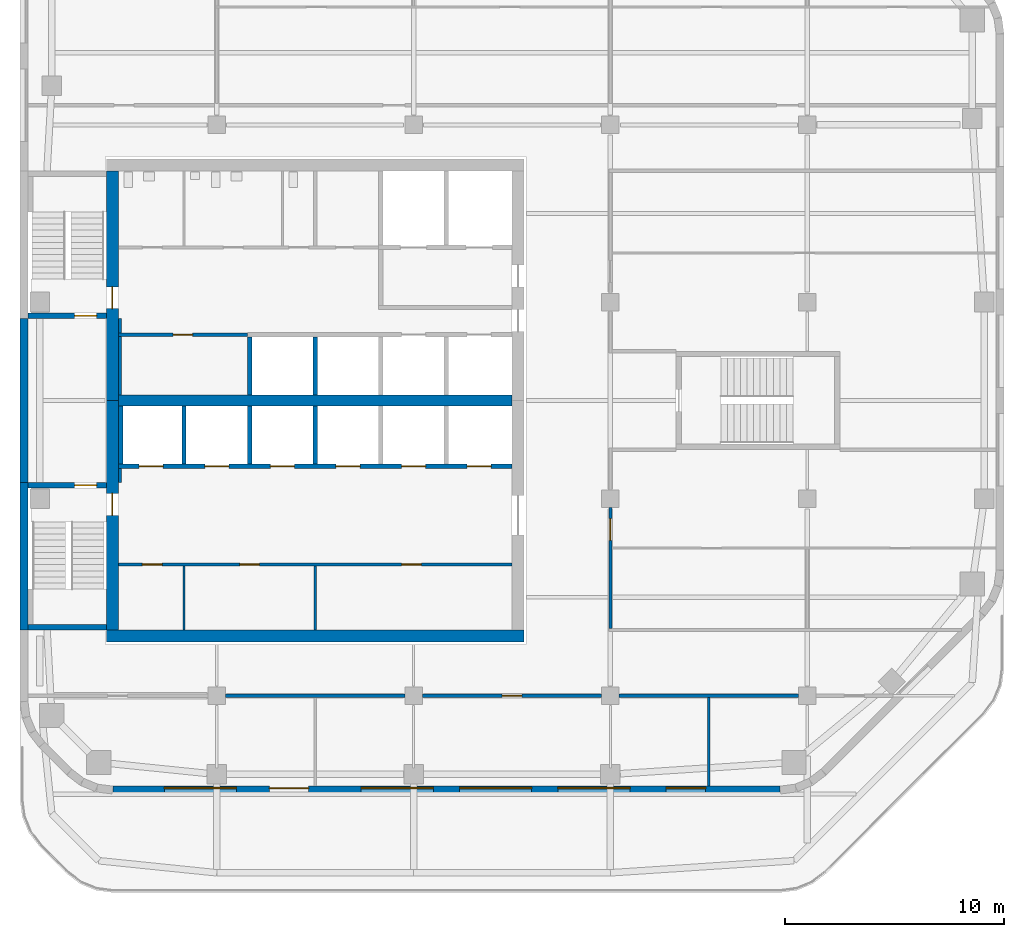
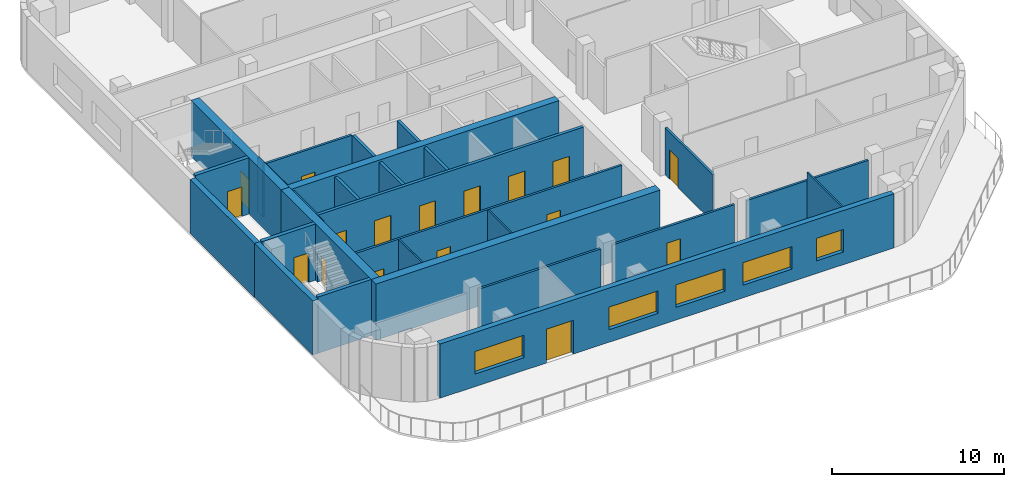
# One storey, part 3 of 8: 29 walls, 17 doors, 5 windows, 22 openings.
"""IFC4 building model written with IfcOpenShell, lengths in metres."""

from ifc_helpers import new_model, si_unit, direction, frame, frame_2d, origin, place, context, subcontext, project, spatial, rectangle, extrude, material, layer, layer_set, type_object, element, fill, save


model = new_model("IFC4")

# Units and contexts
model_context = context("Model", 3, precision=1e-05, world=origin(), true_north=direction((0.0, 1.0)))
body_context = subcontext(model_context, "Body", "Model", "MODEL_VIEW")
ifc_project = project(units=[si_unit("LENGTHUNIT", "METRE"), si_unit("AREAUNIT", "SQUARE_METRE"), si_unit("VOLUMEUNIT", "CUBIC_METRE"), si_unit("PLANEANGLEUNIT", "RADIAN"), si_unit("MASSUNIT", "GRAM", prefix="KILO")], contexts=[model_context])

# Site, building, storey
site_placement = place(None, origin())
site = spatial("IfcSite", under=ifc_project, at=site_placement, CompositionType="ELEMENT")
building_placement = place(site_placement, origin())
building = spatial("IfcBuilding", under=site, at=building_placement, Name="Cinnabar Reach Civic Tower", CompositionType="ELEMENT")
storey_placement = place(building_placement, frame((0.0, 0.0, 198.0)))
storey = spatial("IfcBuildingStorey", under=building, at=storey_placement, Name="L47", CompositionType="ELEMENT", Elevation=198.0)

# Wall, openings, windows, door
ifc_material_1 = material(Name="Facing brick with insulated backing", Category="masonry")
ifc_layer_1 = layer(ifc_material_1, 0.36)
ifc_layer_set_1 = layer_set([ifc_layer_1], Name="Brick pier and spandrel wall")
wall_type_1 = type_object("IfcWallType", Name="Brick pier and spandrel wall", PredefinedType="STANDARD", material=ifc_layer_set_1)
wall_1_placement = place(storey_placement, frame((4.2426, 13.68, 0.0), z_axis=(0.0, 0.0, 1.0), x_axis=(1.0, 0.0, 0.0)))
wall_1 = element("IfcWall", 1, at=wall_1_placement, inside=storey, type_object=wall_type_1, Name="Brick facade wall", PredefinedType="STANDARD", context=body_context, shape_type="SweptSolid", body=[
    extrude(rectangle(XDim=30.5148, YDim=0.36, at=frame_2d((15.2574, 0.0))), origin(), (0.0, 0.0, 1.0), 3.85),
])
opening_1_placement = place(wall_1_placement, frame((2.3574, 0.0, 0.9)))
opening_1 = element("IfcOpeningElement", 2, at=opening_1_placement, cuts=wall_1, Name="Opening W1961", PredefinedType="OPENING", context=body_context, shape_type="SweptSolid", body=[
    extrude(rectangle(XDim=3.3, YDim=1.6, at=frame_2d((1.65, 0.8))), frame((0.0, 0.19, 0.0), z_axis=(0.0, -1.0, 0.0), x_axis=(1.0, 0.0, 0.0)), (0.0, 0.0, 1.0), 0.38),
])
opening_2_placement = place(wall_1_placement, frame((7.1574, 0.0, 0.0)))
opening_2 = element("IfcOpeningElement", 3, at=opening_2_placement, cuts=wall_1, Name="Opening D7510", PredefinedType="OPENING", context=body_context, shape_type="SweptSolid", body=[
    extrude(rectangle(XDim=1.8, YDim=2.4, at=frame_2d((0.9, 1.2))), frame((0.0, 0.19, 0.0), z_axis=(0.0, -1.0, 0.0), x_axis=(1.0, 0.0, 0.0)), (0.0, 0.0, 1.0), 0.38),
])
opening_3_placement = place(wall_1_placement, frame((11.3574, 0.0, 0.9)))
opening_3 = element("IfcOpeningElement", 4, at=opening_3_placement, cuts=wall_1, Name="Opening W1962", PredefinedType="OPENING", context=body_context, shape_type="SweptSolid", body=[
    extrude(rectangle(XDim=3.3, YDim=1.6, at=frame_2d((1.65, 0.8))), frame((0.0, 0.19, 0.0), z_axis=(0.0, -1.0, 0.0), x_axis=(1.0, 0.0, 0.0)), (0.0, 0.0, 1.0), 0.38),
])
opening_4_placement = place(wall_1_placement, frame((15.8574, 0.0, 0.9)))
opening_4 = element("IfcOpeningElement", 5, at=opening_4_placement, cuts=wall_1, Name="Opening W1963", PredefinedType="OPENING", context=body_context, shape_type="SweptSolid", body=[
    extrude(rectangle(XDim=3.3, YDim=1.6, at=frame_2d((1.65, 0.8))), frame((0.0, 0.19, 0.0), z_axis=(0.0, -1.0, 0.0), x_axis=(1.0, 0.0, 0.0)), (0.0, 0.0, 1.0), 0.38),
])
opening_5_placement = place(wall_1_placement, frame((20.3574, 0.0, 0.9)))
opening_5 = element("IfcOpeningElement", 6, at=opening_5_placement, cuts=wall_1, Name="Opening W1964", PredefinedType="OPENING", context=body_context, shape_type="SweptSolid", body=[
    extrude(rectangle(XDim=3.3, YDim=1.6, at=frame_2d((1.65, 0.8))), frame((0.0, 0.19, 0.0), z_axis=(0.0, -1.0, 0.0), x_axis=(1.0, 0.0, 0.0)), (0.0, 0.0, 1.0), 0.38),
])
opening_6_placement = place(wall_1_placement, frame((25.3074, 0.0, 0.9)))
opening_6 = element("IfcOpeningElement", 7, at=opening_6_placement, cuts=wall_1, Name="Opening W1965", PredefinedType="OPENING", context=body_context, shape_type="SweptSolid", body=[
    extrude(rectangle(XDim=1.8, YDim=1.6, at=frame_2d((0.9, 0.8))), frame((0.0, 0.19, 0.0), z_axis=(0.0, -1.0, 0.0), x_axis=(1.0, 0.0, 0.0)), (0.0, 0.0, 1.0), 0.38),
])
ifc_material_2 = material(Name="Clear double glazing in aluminium frame", Category="aluminium")
window_type_1 = type_object("IfcWindowType", Name="Deep-set window A", PartitioningType="SINGLE_PANEL", PredefinedType="WINDOW", material=ifc_material_2)
window_1_placement = place(opening_1_placement, origin())
window_1 = element("IfcWindow", 8, at=window_1_placement, inside=storey, type_object=window_type_1, Name="Window south face", OverallHeight=1.6, OverallWidth=3.3, PartitioningType="SINGLE_PANEL", PredefinedType="WINDOW", context=body_context, shape_type="SweptSolid", body=[
    extrude(rectangle(XDim=3.3, YDim=1.6, at=frame_2d((1.65, 0.8))), frame((0.0, 0.13, 0.0), z_axis=(0.0, -1.0, 0.0), x_axis=(1.0, 0.0, 0.0)), (0.0, 0.0, 1.0), 0.06),
])
fill(opening_1, window_1)
window_2_placement = place(opening_3_placement, origin())
window_2 = element("IfcWindow", 9, at=window_2_placement, inside=storey, type_object=window_type_1, Name="Window south face", OverallHeight=1.6, OverallWidth=3.3, PartitioningType="SINGLE_PANEL", PredefinedType="WINDOW", context=body_context, shape_type="SweptSolid", body=[
    extrude(rectangle(XDim=3.3, YDim=1.6, at=frame_2d((1.65, 0.8))), frame((0.0, 0.13, 0.0), z_axis=(0.0, -1.0, 0.0), x_axis=(1.0, 0.0, 0.0)), (0.0, 0.0, 1.0), 0.06),
])
fill(opening_3, window_2)
window_3_placement = place(opening_4_placement, origin())
window_3 = element("IfcWindow", 10, at=window_3_placement, inside=storey, type_object=window_type_1, Name="Window south face", OverallHeight=1.6, OverallWidth=3.3, PartitioningType="SINGLE_PANEL", PredefinedType="WINDOW", context=body_context, shape_type="SweptSolid", body=[
    extrude(rectangle(XDim=3.3, YDim=1.6, at=frame_2d((1.65, 0.8))), frame((0.0, 0.13, 0.0), z_axis=(0.0, -1.0, 0.0), x_axis=(1.0, 0.0, 0.0)), (0.0, 0.0, 1.0), 0.06),
])
fill(opening_4, window_3)
window_4_placement = place(opening_5_placement, origin())
window_4 = element("IfcWindow", 11, at=window_4_placement, inside=storey, type_object=window_type_1, Name="Window south face", OverallHeight=1.6, OverallWidth=3.3, PartitioningType="SINGLE_PANEL", PredefinedType="WINDOW", context=body_context, shape_type="SweptSolid", body=[
    extrude(rectangle(XDim=3.3, YDim=1.6, at=frame_2d((1.65, 0.8))), frame((0.0, 0.13, 0.0), z_axis=(0.0, -1.0, 0.0), x_axis=(1.0, 0.0, 0.0)), (0.0, 0.0, 1.0), 0.06),
])
fill(opening_5, window_4)
window_type_2 = type_object("IfcWindowType", Name="Deep-set window D", PartitioningType="SINGLE_PANEL", PredefinedType="WINDOW", material=ifc_material_2)
window_5_placement = place(opening_6_placement, origin())
window_5 = element("IfcWindow", 12, at=window_5_placement, inside=storey, type_object=window_type_2, Name="Window south face", OverallHeight=1.6, OverallWidth=1.8, PartitioningType="SINGLE_PANEL", PredefinedType="WINDOW", context=body_context, shape_type="SweptSolid", body=[
    extrude(rectangle(XDim=1.8, YDim=1.6, at=frame_2d((0.9, 0.8))), frame((0.0, 0.13, 0.0), z_axis=(0.0, -1.0, 0.0), x_axis=(1.0, 0.0, 0.0)), (0.0, 0.0, 1.0), 0.06),
])
fill(opening_6, window_5)
ifc_material_3 = material(Name="Clear glazing in aluminium frame", Category="aluminium")
door_type_1 = type_object("IfcDoorType", Name="Facade terrace double door", OperationType="SINGLE_SWING_LEFT", PredefinedType="DOOR", material=ifc_material_3)
door_1_placement = place(opening_2_placement, frame((1.8, 0.0, 0.0), z_axis=(0.0, 0.0, 1.0), x_axis=(-1.0, 0.0, 0.0)))
door_1 = element("IfcDoor", 13, at=door_1_placement, inside=storey, type_object=door_type_1, Name="Terrace door", OperationType="DOUBLE_DOOR_SINGLE_SWING", OverallHeight=2.4, OverallWidth=1.8, PredefinedType="DOOR", context=body_context, shape_type="SweptSolid", body=[
    extrude(rectangle(XDim=1.8, YDim=2.4, at=frame_2d((0.9, 1.2))), frame((0.0, -0.07, 0.0), z_axis=(0.0, -1.0, 0.0), x_axis=(1.0, 0.0, 0.0)), (0.0, 0.0, 1.0), 0.05),
])
fill(opening_2, door_1)

# Walls
wall_2_placement = place(storey_placement, frame((0.18, 35.25, 0.0), z_axis=(0.0, 0.0, 1.0), x_axis=(0.0, -1.0, 0.0)))
element("IfcWall", 14, at=wall_2_placement, inside=storey, type_object=wall_type_1, Name="Brick facade wall", PredefinedType="STANDARD", context=body_context, shape_type="SweptSolid", body=[
    extrude(rectangle(XDim=7.5, YDim=0.36, at=frame_2d((3.75, 0.0))), origin(), (0.0, 0.0, 1.0), 3.85),
])
wall_3_placement = place(storey_placement, frame((0.18, 27.75, 0.0), z_axis=(0.0, 0.0, 1.0), x_axis=(0.0, -1.0, 0.0)))
element("IfcWall", 15, at=wall_3_placement, inside=storey, type_object=wall_type_1, Name="Brick facade wall", PredefinedType="STANDARD", context=body_context, shape_type="SweptSolid", body=[
    extrude(rectangle(XDim=6.75, YDim=0.36, at=frame_2d((3.375, 0.0))), origin(), (0.0, 0.0, 1.0), 3.85),
])
ifc_material_4 = material(Name="Concrete C60", Category="concrete")
ifc_layer_2 = layer(ifc_material_4, 0.5)
ifc_layer_set_2 = layer_set([ifc_layer_2], Name="Core wall 500 EI 180")
wall_type_2 = type_object("IfcWallType", Name="Core wall 500 EI 180", PredefinedType="SOLIDWALL", material=ifc_layer_set_2)
wall_4_placement = place(storey_placement, frame((4.5, 31.5, 0.0), z_axis=(0.0, 0.0, 1.0), x_axis=(1.0, 0.0, 0.0)))
element("IfcWall", 16, at=wall_4_placement, inside=storey, type_object=wall_type_2, Name="Core spine wall T1 L47", PredefinedType="SOLIDWALL", context=body_context, shape_type="SweptSolid", body=[
    extrude(rectangle(XDim=18.0, YDim=0.5, at=frame_2d((9.0, 0.0))), origin(), (0.0, 0.0, 1.0), 4.0),
])
ifc_layer_3 = layer(ifc_material_4, 0.55)
ifc_layer_set_3 = layer_set([ifc_layer_3], Name="Core wall 550 EI 180")
wall_type_3 = type_object("IfcWallType", Name="Core wall 550 EI 180", PredefinedType="SOLIDWALL", material=ifc_layer_set_3)
wall_5_placement = place(storey_placement, frame((3.95, 20.725, 0.0), z_axis=(0.0, 0.0, 1.0), x_axis=(1.0, 0.0, 0.0)))
element("IfcWall", 17, at=wall_5_placement, inside=storey, type_object=wall_type_3, Name="Core wall T1 L47 S", PredefinedType="SOLIDWALL", context=body_context, shape_type="SweptSolid", body=[
    extrude(rectangle(XDim=19.1, YDim=0.55, at=frame_2d((9.55, 0.0))), origin(), (0.0, 0.0, 1.0), 4.0),
])

# Wall, opening, door
wall_6_placement = place(storey_placement, frame((4.225, 42.0, 0.0), z_axis=(0.0, 0.0, 1.0), x_axis=(0.0, -1.0, 0.0)))
wall_6 = element("IfcWall", 18, at=wall_6_placement, inside=storey, type_object=wall_type_3, Name="Core wall T1 L47 W", PredefinedType="SOLIDWALL", context=body_context, shape_type="SweptSolid", body=[
    extrude(rectangle(XDim=10.5, YDim=0.55, at=frame_2d((5.25, 0.0))), origin(), (0.0, 0.0, 1.0), 4.0),
])
opening_7_placement = place(wall_6_placement, frame((5.3, 0.0, 0.0)))
opening_7 = element("IfcOpeningElement", 19, at=opening_7_placement, cuts=wall_6, Name="Opening D4913", PredefinedType="OPENING", context=body_context, shape_type="SweptSolid", body=[
    extrude(rectangle(XDim=1.0, YDim=2.1, at=frame_2d((0.5, 1.05))), frame((0.0, 0.285, 0.0), z_axis=(0.0, -1.0, 0.0), x_axis=(1.0, 0.0, 0.0)), (0.0, 0.0, 1.0), 0.57),
])
ifc_material_5 = material(Name="Timber door leaf in steel frame", Category="steel")
door_type_2 = type_object("IfcDoorType", Name="Stair door 1000 x 2100 T1", OperationType="SINGLE_SWING_LEFT", PredefinedType="DOOR", material=ifc_material_5)
door_2_placement = place(opening_7_placement, frame((1.0, 0.0, 0.0), z_axis=(0.0, 0.0, 1.0), x_axis=(-1.0, 0.0, 0.0)))
door_2 = element("IfcDoor", 20, at=door_2_placement, inside=storey, type_object=door_type_2, Name="Door D4913", OperationType="SINGLE_SWING_LEFT", OverallHeight=2.1, OverallWidth=1.0, PredefinedType="DOOR", context=body_context, shape_type="SweptSolid", body=[
    extrude(rectangle(XDim=1.0, YDim=2.1, at=frame_2d((0.5, 1.05))), frame((0.0, 0.025, 0.0), z_axis=(0.0, -1.0, 0.0), x_axis=(1.0, 0.0, 0.0)), (0.0, 0.0, 1.0), 0.05),
])
fill(opening_7, door_2)

wall_7_placement = place(storey_placement, frame((4.225, 31.5, 0.0), z_axis=(0.0, 0.0, 1.0), x_axis=(0.0, -1.0, 0.0)))
wall_7 = element("IfcWall", 21, at=wall_7_placement, inside=storey, type_object=wall_type_3, Name="Core wall T1 L47 W2", PredefinedType="SOLIDWALL", context=body_context, shape_type="SweptSolid", body=[
    extrude(rectangle(XDim=10.5, YDim=0.55, at=frame_2d((5.25, 0.0))), origin(), (0.0, 0.0, 1.0), 4.0),
])
opening_8_placement = place(wall_7_placement, frame((4.25, 0.0, 0.0)))
opening_8 = element("IfcOpeningElement", 22, at=opening_8_placement, cuts=wall_7, Name="Opening D4911", PredefinedType="OPENING", context=body_context, shape_type="SweptSolid", body=[
    extrude(rectangle(XDim=1.0, YDim=2.1, at=frame_2d((0.5, 1.05))), frame((0.0, 0.285, 0.0), z_axis=(0.0, -1.0, 0.0), x_axis=(1.0, 0.0, 0.0)), (0.0, 0.0, 1.0), 0.57),
])
door_3_placement = place(opening_8_placement, frame((1.0, 0.0, 0.0), z_axis=(0.0, 0.0, 1.0), x_axis=(-1.0, 0.0, 0.0)))
door_3 = element("IfcDoor", 23, at=door_3_placement, inside=storey, type_object=door_type_2, Name="Door D4911", OperationType="SINGLE_SWING_RIGHT", OverallHeight=2.1, OverallWidth=1.0, PredefinedType="DOOR", context=body_context, shape_type="SweptSolid", body=[
    extrude(rectangle(XDim=1.0, YDim=2.1, at=frame_2d((0.5, 1.05))), frame((0.0, 0.025, 0.0), z_axis=(0.0, -1.0, 0.0), x_axis=(1.0, 0.0, 0.0)), (0.0, 0.0, 1.0), 0.05),
])
fill(opening_8, door_3)

# Wall
ifc_material_6 = material(Name="Gypsum board on steel studs, double layer", Category="steel")
ifc_layer_4 = layer(ifc_material_6, 0.15)
ifc_layer_set_4 = layer_set([ifc_layer_4], Name="Corridor wall 150 T1")
wall_type_4 = type_object("IfcWallType", Name="Corridor wall 150 T1", PredefinedType="PARTITIONING", material=ifc_layer_set_4)
wall_8_placement = place(storey_placement, frame((27.4, 18.0, 0.0), z_axis=(0.0, 0.0, 1.0), x_axis=(1.0, 0.0, 0.0)))
element("IfcWall", 24, at=wall_8_placement, inside=storey, type_object=wall_type_4, Name="Corridor wall 20", PredefinedType="PARTITIONING", context=body_context, shape_type="SweptSolid", body=[
    extrude(rectangle(XDim=8.2, YDim=0.15, at=frame_2d((4.1, 0.0))), origin(), (0.0, 0.0, 1.0), 3.254),
])

# Wall, opening, door
wall_9_placement = place(storey_placement, frame((18.4, 18.0, 0.0), z_axis=(0.0, 0.0, 1.0), x_axis=(1.0, 0.0, 0.0)))
wall_9 = element("IfcWall", 25, at=wall_9_placement, inside=storey, type_object=wall_type_4, Name="Corridor wall 21", PredefinedType="PARTITIONING", context=body_context, shape_type="SweptSolid", body=[
    extrude(rectangle(XDim=8.2, YDim=0.15, at=frame_2d((4.1, 0.0))), origin(), (0.0, 0.0, 1.0), 3.254),
])
opening_9_placement = place(wall_9_placement, frame((3.65, 0.0, 0.0)))
opening_9 = element("IfcOpeningElement", 26, at=opening_9_placement, cuts=wall_9, Name="Opening D4943", PredefinedType="OPENING", context=body_context, shape_type="SweptSolid", body=[
    extrude(rectangle(XDim=0.9, YDim=2.1, at=frame_2d((0.45, 1.05))), frame((0.0, 0.085, 0.0), z_axis=(0.0, -1.0, 0.0), x_axis=(1.0, 0.0, 0.0)), (0.0, 0.0, 1.0), 0.17),
])
door_type_3 = type_object("IfcDoorType", Name="Single swing door 900 x 2100 corridor T1", OperationType="SINGLE_SWING_LEFT", PredefinedType="DOOR", material=ifc_material_5)
door_4_placement = place(opening_9_placement, frame((0.9, 0.0, 0.0), z_axis=(0.0, 0.0, 1.0), x_axis=(-1.0, 0.0, 0.0)))
door_4 = element("IfcDoor", 27, at=door_4_placement, inside=storey, type_object=door_type_3, Name="Door D4943", OperationType="SINGLE_SWING_RIGHT", OverallHeight=2.1, OverallWidth=0.9, PredefinedType="DOOR", context=body_context, shape_type="SweptSolid", body=[
    extrude(rectangle(XDim=0.9, YDim=2.1, at=frame_2d((0.45, 1.05))), frame((0.0, 0.025, 0.0), z_axis=(0.0, -1.0, 0.0), x_axis=(1.0, 0.0, 0.0)), (0.0, 0.0, 1.0), 0.05),
])
fill(opening_9, door_4)

# Wall
wall_10_placement = place(storey_placement, frame((9.4, 18.0, 0.0), z_axis=(0.0, 0.0, 1.0), x_axis=(1.0, 0.0, 0.0)))
element("IfcWall", 28, at=wall_10_placement, inside=storey, type_object=wall_type_4, Name="Corridor wall 22", PredefinedType="PARTITIONING", context=body_context, shape_type="SweptSolid", body=[
    extrude(rectangle(XDim=8.2, YDim=0.15, at=frame_2d((4.1, 0.0))), origin(), (0.0, 0.0, 1.0), 3.254),
])

# Wall, openings, doors
wall_11_placement = place(storey_placement, frame((4.5, 24.0, 0.0), z_axis=(0.0, 0.0, 1.0), x_axis=(1.0, 0.0, 0.0)))
wall_11 = element("IfcWall", 29, at=wall_11_placement, inside=storey, type_object=wall_type_4, Name="Corridor wall 24", PredefinedType="PARTITIONING", context=body_context, shape_type="SweptSolid", body=[
    extrude(rectangle(XDim=18.0, YDim=0.15, at=frame_2d((9.0, 0.0))), origin(), (0.0, 0.0, 1.0), 3.85),
])
opening_10_placement = place(wall_11_placement, frame((1.1, 0.0, 0.0)))
opening_10 = element("IfcOpeningElement", 30, at=opening_10_placement, cuts=wall_11, Name="Opening D4929", PredefinedType="OPENING", context=body_context, shape_type="SweptSolid", body=[
    extrude(rectangle(XDim=0.9, YDim=2.1, at=frame_2d((0.45, 1.05))), frame((0.0, 0.085, 0.0), z_axis=(0.0, -1.0, 0.0), x_axis=(1.0, 0.0, 0.0)), (0.0, 0.0, 1.0), 0.17),
])
opening_11_placement = place(wall_11_placement, frame((5.55, 0.0, 0.0)))
opening_11 = element("IfcOpeningElement", 31, at=opening_11_placement, cuts=wall_11, Name="Opening D4930", PredefinedType="OPENING", context=body_context, shape_type="SweptSolid", body=[
    extrude(rectangle(XDim=0.9, YDim=2.1, at=frame_2d((0.45, 1.05))), frame((0.0, 0.085, 0.0), z_axis=(0.0, -1.0, 0.0), x_axis=(1.0, 0.0, 0.0)), (0.0, 0.0, 1.0), 0.17),
])
opening_12_placement = place(wall_11_placement, frame((12.95, 0.0, 0.0)))
opening_12 = element("IfcOpeningElement", 32, at=opening_12_placement, cuts=wall_11, Name="Opening D4931", PredefinedType="OPENING", context=body_context, shape_type="SweptSolid", body=[
    extrude(rectangle(XDim=0.9, YDim=2.1, at=frame_2d((0.45, 1.05))), frame((0.0, 0.085, 0.0), z_axis=(0.0, -1.0, 0.0), x_axis=(1.0, 0.0, 0.0)), (0.0, 0.0, 1.0), 0.17),
])
door_5_placement = place(opening_10_placement, frame((0.9, 0.0, 0.0), z_axis=(0.0, 0.0, 1.0), x_axis=(-1.0, 0.0, 0.0)))
door_5 = element("IfcDoor", 33, at=door_5_placement, inside=storey, type_object=door_type_3, Name="Door D4929", OperationType="SINGLE_SWING_LEFT", OverallHeight=2.1, OverallWidth=0.9, PredefinedType="DOOR", context=body_context, shape_type="SweptSolid", body=[
    extrude(rectangle(XDim=0.9, YDim=2.1, at=frame_2d((0.45, 1.05))), frame((0.0, 0.025, 0.0), z_axis=(0.0, -1.0, 0.0), x_axis=(1.0, 0.0, 0.0)), (0.0, 0.0, 1.0), 0.05),
])
fill(opening_10, door_5)
door_6_placement = place(opening_11_placement, frame((0.9, 0.0, 0.0), z_axis=(0.0, 0.0, 1.0), x_axis=(-1.0, 0.0, 0.0)))
door_6 = element("IfcDoor", 34, at=door_6_placement, inside=storey, type_object=door_type_3, Name="Door D4930", OperationType="SINGLE_SWING_RIGHT", OverallHeight=2.1, OverallWidth=0.9, PredefinedType="DOOR", context=body_context, shape_type="SweptSolid", body=[
    extrude(rectangle(XDim=0.9, YDim=2.1, at=frame_2d((0.45, 1.05))), frame((0.0, 0.025, 0.0), z_axis=(0.0, -1.0, 0.0), x_axis=(1.0, 0.0, 0.0)), (0.0, 0.0, 1.0), 0.05),
])
fill(opening_11, door_6)
door_7_placement = place(opening_12_placement, frame((0.9, 0.0, 0.0), z_axis=(0.0, 0.0, 1.0), x_axis=(-1.0, 0.0, 0.0)))
door_7 = element("IfcDoor", 35, at=door_7_placement, inside=storey, type_object=door_type_3, Name="Door D4931", OperationType="SINGLE_SWING_RIGHT", OverallHeight=2.1, OverallWidth=0.9, PredefinedType="DOOR", context=body_context, shape_type="SweptSolid", body=[
    extrude(rectangle(XDim=0.9, YDim=2.1, at=frame_2d((0.45, 1.05))), frame((0.0, 0.025, 0.0), z_axis=(0.0, -1.0, 0.0), x_axis=(1.0, 0.0, 0.0)), (0.0, 0.0, 1.0), 0.05),
])
fill(opening_12, door_7)

# Wall, opening, door
wall_12_placement = place(storey_placement, frame((27.0, 21.075, 0.0), z_axis=(0.0, 0.0, 1.0), x_axis=(0.0, 1.0, 0.0)))
wall_12 = element("IfcWall", 36, at=wall_12_placement, inside=storey, type_object=wall_type_4, Name="Corridor wall 28", PredefinedType="PARTITIONING", context=body_context, shape_type="SweptSolid", body=[
    extrude(rectangle(XDim=5.525, YDim=0.15, at=frame_2d((2.7625, 0.0))), origin(), (0.0, 0.0, 1.0), 3.35),
])
opening_13_placement = place(wall_12_placement, frame((4.025, 0.0, 0.0)))
opening_13 = element("IfcOpeningElement", 37, at=opening_13_placement, cuts=wall_12, Name="Opening D4939", PredefinedType="OPENING", context=body_context, shape_type="SweptSolid", body=[
    extrude(rectangle(XDim=1.0, YDim=2.1, at=frame_2d((0.5, 1.05))), frame((0.0, 0.085, 0.0), z_axis=(0.0, -1.0, 0.0), x_axis=(1.0, 0.0, 0.0)), (0.0, 0.0, 1.0), 0.17),
])
door_type_4 = type_object("IfcDoorType", Name="Tenancy entrance door 1000 x 2100 T1", OperationType="SINGLE_SWING_LEFT", PredefinedType="DOOR", material=ifc_material_5)
door_8_placement = place(opening_13_placement, frame((1.0, 0.0, 0.0), z_axis=(0.0, 0.0, 1.0), x_axis=(-1.0, 0.0, 0.0)))
door_8 = element("IfcDoor", 38, at=door_8_placement, inside=storey, type_object=door_type_4, Name="Door D4939", OperationType="SINGLE_SWING_RIGHT", OverallHeight=2.1, OverallWidth=1.0, PredefinedType="DOOR", context=body_context, shape_type="SweptSolid", body=[
    extrude(rectangle(XDim=1.0, YDim=2.1, at=frame_2d((0.5, 1.05))), frame((0.0, 0.025, 0.0), z_axis=(0.0, -1.0, 0.0), x_axis=(1.0, 0.0, 0.0)), (0.0, 0.0, 1.0), 0.05),
])
fill(opening_13, door_8)

wall_13_placement = place(storey_placement, frame((4.5, 34.5, 0.0), z_axis=(0.0, 0.0, 1.0), x_axis=(1.0, 0.0, 0.0)))
wall_13 = element("IfcWall", 39, at=wall_13_placement, inside=storey, type_object=wall_type_4, Name="Corridor wall 32", PredefinedType="PARTITIONING", context=body_context, shape_type="SweptSolid", body=[
    extrude(rectangle(XDim=5.9, YDim=0.15, at=frame_2d((2.95, 0.0))), origin(), (0.0, 0.0, 1.0), 3.85),
])
opening_14_placement = place(wall_13_placement, frame((2.5, 0.0, 0.0)))
opening_14 = element("IfcOpeningElement", 40, at=opening_14_placement, cuts=wall_13, Name="Opening D4932", PredefinedType="OPENING", context=body_context, shape_type="SweptSolid", body=[
    extrude(rectangle(XDim=0.9, YDim=2.1, at=frame_2d((0.45, 1.05))), frame((0.0, 0.085, 0.0), z_axis=(0.0, -1.0, 0.0), x_axis=(1.0, 0.0, 0.0)), (0.0, 0.0, 1.0), 0.17),
])
door_9_placement = place(opening_14_placement, frame((0.9, 0.0, 0.0), z_axis=(0.0, 0.0, 1.0), x_axis=(-1.0, 0.0, 0.0)))
door_9 = element("IfcDoor", 41, at=door_9_placement, inside=storey, type_object=door_type_3, Name="Door D4932", OperationType="SINGLE_SWING_RIGHT", OverallHeight=2.1, OverallWidth=0.9, PredefinedType="DOOR", context=body_context, shape_type="SweptSolid", body=[
    extrude(rectangle(XDim=0.9, YDim=2.1, at=frame_2d((0.45, 1.05))), frame((0.0, 0.025, 0.0), z_axis=(0.0, -1.0, 0.0), x_axis=(1.0, 0.0, 0.0)), (0.0, 0.0, 1.0), 0.05),
])
fill(opening_14, door_9)

# Walls
wall_14_placement = place(storey_placement, frame((4.575, 34.575, 0.0), z_axis=(0.0, 0.0, 1.0), x_axis=(0.0, 1.0, 0.0)))
element("IfcWall", 42, at=wall_14_placement, inside=storey, type_object=wall_type_4, Name="Corridor wall 33", PredefinedType="PARTITIONING", context=body_context, shape_type="SweptSolid", body=[
    extrude(rectangle(XDim=0.675, YDim=0.15, at=frame_2d((0.3375, 0.0))), origin(), (0.0, 0.0, 1.0), 3.85),
])
wall_15_placement = place(storey_placement, frame((4.575, 31.75, 0.0), z_axis=(0.0, 0.0, 1.0), x_axis=(0.0, 1.0, 0.0)))
element("IfcWall", 43, at=wall_15_placement, inside=storey, type_object=wall_type_4, Name="Corridor wall 34", PredefinedType="PARTITIONING", context=body_context, shape_type="SweptSolid", body=[
    extrude(rectangle(XDim=2.675, YDim=0.15, at=frame_2d((1.3375, 0.0))), origin(), (0.0, 0.0, 1.0), 3.85),
])
wall_16_placement = place(storey_placement, frame((4.575, 27.75, 0.0), z_axis=(0.0, 0.0, 1.0), x_axis=(0.0, 1.0, 0.0)))
element("IfcWall", 44, at=wall_16_placement, inside=storey, type_object=wall_type_4, Name="Corridor wall 37", PredefinedType="PARTITIONING", context=body_context, shape_type="SweptSolid", body=[
    extrude(rectangle(XDim=0.65, YDim=0.15, at=frame_2d((0.325, 0.0))), origin(), (0.0, 0.0, 1.0), 3.85),
])

# Wall, openings, doors
ifc_material_7 = material(Name="Blockwork", Category="masonry")
ifc_layer_5 = layer(ifc_material_7, 0.2)
ifc_layer_set_5 = layer_set([ifc_layer_5], Name="Lift shaft wall 200 T1")
wall_type_5 = type_object("IfcWallType", Name="Lift shaft wall 200 T1", PredefinedType="PARTITIONING", material=ifc_layer_set_5)
wall_17_placement = place(storey_placement, frame((4.5, 28.5, 0.0), z_axis=(0.0, 0.0, 1.0), x_axis=(1.0, 0.0, 0.0)))
wall_17 = element("IfcWall", 45, at=wall_17_placement, inside=storey, type_object=wall_type_5, Name="Lift shaft wall 4", PredefinedType="PARTITIONING", context=body_context, shape_type="SweptSolid", body=[
    extrude(rectangle(XDim=18.0, YDim=0.2, at=frame_2d((9.0, 0.0))), origin(), (0.0, 0.0, 1.0), 3.85),
])
opening_15_placement = place(wall_17_placement, frame((0.95, 0.0, 0.0)))
opening_15 = element("IfcOpeningElement", 46, at=opening_15_placement, cuts=wall_17, Name="Opening D4915", PredefinedType="OPENING", context=body_context, shape_type="SweptSolid", body=[
    extrude(rectangle(XDim=1.1, YDim=2.1, at=frame_2d((0.55, 1.05))), frame((0.0, 0.11, 0.0), z_axis=(0.0, -1.0, 0.0), x_axis=(1.0, 0.0, 0.0)), (0.0, 0.0, 1.0), 0.22),
])
opening_16_placement = place(wall_17_placement, frame((3.95, 0.0, 0.0)))
opening_16 = element("IfcOpeningElement", 47, at=opening_16_placement, cuts=wall_17, Name="Opening D4916", PredefinedType="OPENING", context=body_context, shape_type="SweptSolid", body=[
    extrude(rectangle(XDim=1.1, YDim=2.1, at=frame_2d((0.55, 1.05))), frame((0.0, 0.11, 0.0), z_axis=(0.0, -1.0, 0.0), x_axis=(1.0, 0.0, 0.0)), (0.0, 0.0, 1.0), 0.22),
])
opening_17_placement = place(wall_17_placement, frame((6.95, 0.0, 0.0)))
opening_17 = element("IfcOpeningElement", 48, at=opening_17_placement, cuts=wall_17, Name="Opening D4917", PredefinedType="OPENING", context=body_context, shape_type="SweptSolid", body=[
    extrude(rectangle(XDim=1.1, YDim=2.1, at=frame_2d((0.55, 1.05))), frame((0.0, 0.11, 0.0), z_axis=(0.0, -1.0, 0.0), x_axis=(1.0, 0.0, 0.0)), (0.0, 0.0, 1.0), 0.22),
])
opening_18_placement = place(wall_17_placement, frame((9.95, 0.0, 0.0)))
opening_18 = element("IfcOpeningElement", 49, at=opening_18_placement, cuts=wall_17, Name="Opening D4918", PredefinedType="OPENING", context=body_context, shape_type="SweptSolid", body=[
    extrude(rectangle(XDim=1.1, YDim=2.1, at=frame_2d((0.55, 1.05))), frame((0.0, 0.11, 0.0), z_axis=(0.0, -1.0, 0.0), x_axis=(1.0, 0.0, 0.0)), (0.0, 0.0, 1.0), 0.22),
])
opening_19_placement = place(wall_17_placement, frame((12.95, 0.0, 0.0)))
opening_19 = element("IfcOpeningElement", 50, at=opening_19_placement, cuts=wall_17, Name="Opening D4919", PredefinedType="OPENING", context=body_context, shape_type="SweptSolid", body=[
    extrude(rectangle(XDim=1.1, YDim=2.1, at=frame_2d((0.55, 1.05))), frame((0.0, 0.11, 0.0), z_axis=(0.0, -1.0, 0.0), x_axis=(1.0, 0.0, 0.0)), (0.0, 0.0, 1.0), 0.22),
])
opening_20_placement = place(wall_17_placement, frame((15.95, 0.0, 0.0)))
opening_20 = element("IfcOpeningElement", 51, at=opening_20_placement, cuts=wall_17, Name="Opening D4920", PredefinedType="OPENING", context=body_context, shape_type="SweptSolid", body=[
    extrude(rectangle(XDim=1.1, YDim=2.1, at=frame_2d((0.55, 1.05))), frame((0.0, 0.11, 0.0), z_axis=(0.0, -1.0, 0.0), x_axis=(1.0, 0.0, 0.0)), (0.0, 0.0, 1.0), 0.22),
])
ifc_material_8 = material(Name="Stainless steel sliding door", Category="steel")
door_type_5 = type_object("IfcDoorType", Name="Lift landing door 1100 x 2100 T1", OperationType="SLIDING_TO_LEFT", PredefinedType="DOOR", material=ifc_material_8)
door_10_placement = place(opening_15_placement, origin())
door_10 = element("IfcDoor", 52, at=door_10_placement, inside=storey, type_object=door_type_5, Name="Lift landing door HR1 L47", OperationType="SLIDING_TO_LEFT", OverallHeight=2.1, OverallWidth=1.1, PredefinedType="DOOR", context=body_context, shape_type="SweptSolid", body=[
    extrude(rectangle(XDim=1.1, YDim=2.1, at=frame_2d((0.55, 1.05))), frame((0.0, 0.025, 0.0), z_axis=(0.0, -1.0, 0.0), x_axis=(1.0, 0.0, 0.0)), (0.0, 0.0, 1.0), 0.05),
])
fill(opening_15, door_10)
door_11_placement = place(opening_16_placement, origin())
door_11 = element("IfcDoor", 53, at=door_11_placement, inside=storey, type_object=door_type_5, Name="Lift landing door HR2 L47", OperationType="SLIDING_TO_LEFT", OverallHeight=2.1, OverallWidth=1.1, PredefinedType="DOOR", context=body_context, shape_type="SweptSolid", body=[
    extrude(rectangle(XDim=1.1, YDim=2.1, at=frame_2d((0.55, 1.05))), frame((0.0, 0.025, 0.0), z_axis=(0.0, -1.0, 0.0), x_axis=(1.0, 0.0, 0.0)), (0.0, 0.0, 1.0), 0.05),
])
fill(opening_16, door_11)
door_12_placement = place(opening_17_placement, origin())
door_12 = element("IfcDoor", 54, at=door_12_placement, inside=storey, type_object=door_type_5, Name="Lift landing door HR3 L47", OperationType="SLIDING_TO_LEFT", OverallHeight=2.1, OverallWidth=1.1, PredefinedType="DOOR", context=body_context, shape_type="SweptSolid", body=[
    extrude(rectangle(XDim=1.1, YDim=2.1, at=frame_2d((0.55, 1.05))), frame((0.0, 0.025, 0.0), z_axis=(0.0, -1.0, 0.0), x_axis=(1.0, 0.0, 0.0)), (0.0, 0.0, 1.0), 0.05),
])
fill(opening_17, door_12)
door_13_placement = place(opening_18_placement, origin())
door_13 = element("IfcDoor", 55, at=door_13_placement, inside=storey, type_object=door_type_5, Name="Lift landing door HR4 L47", OperationType="SLIDING_TO_LEFT", OverallHeight=2.1, OverallWidth=1.1, PredefinedType="DOOR", context=body_context, shape_type="SweptSolid", body=[
    extrude(rectangle(XDim=1.1, YDim=2.1, at=frame_2d((0.55, 1.05))), frame((0.0, 0.025, 0.0), z_axis=(0.0, -1.0, 0.0), x_axis=(1.0, 0.0, 0.0)), (0.0, 0.0, 1.0), 0.05),
])
fill(opening_18, door_13)
door_14_placement = place(opening_19_placement, origin())
door_14 = element("IfcDoor", 56, at=door_14_placement, inside=storey, type_object=door_type_5, Name="Lift landing door HR5 L47", OperationType="SLIDING_TO_LEFT", OverallHeight=2.1, OverallWidth=1.1, PredefinedType="DOOR", context=body_context, shape_type="SweptSolid", body=[
    extrude(rectangle(XDim=1.1, YDim=2.1, at=frame_2d((0.55, 1.05))), frame((0.0, 0.025, 0.0), z_axis=(0.0, -1.0, 0.0), x_axis=(1.0, 0.0, 0.0)), (0.0, 0.0, 1.0), 0.05),
])
fill(opening_19, door_14)
door_15_placement = place(opening_20_placement, origin())
door_15 = element("IfcDoor", 57, at=door_15_placement, inside=storey, type_object=door_type_5, Name="Lift landing door HR6 L47", OperationType="SLIDING_TO_LEFT", OverallHeight=2.1, OverallWidth=1.1, PredefinedType="DOOR", context=body_context, shape_type="SweptSolid", body=[
    extrude(rectangle(XDim=1.1, YDim=2.1, at=frame_2d((0.55, 1.05))), frame((0.0, 0.025, 0.0), z_axis=(0.0, -1.0, 0.0), x_axis=(1.0, 0.0, 0.0)), (0.0, 0.0, 1.0), 0.05),
])
fill(opening_20, door_15)

# Walls
for number, where, z_axis, x_axis, name in (
    (58, (10.5, 28.6, 0.0), (0.0, 0.0, 1.0), (0.0, 1.0, 0.0), "Lift shaft wall 6"),
    (59, (10.5, 31.75, 0.0), (0.0, 0.0, 1.0), (0.0, 1.0, 0.0), "Lift shaft wall 7"),
    (60, (13.5, 28.6, 0.0), (0.0, 0.0, 1.0), (0.0, 1.0, 0.0), "Lift shaft wall 8"),
    (61, (13.5, 31.75, 0.0), (0.0, 0.0, 1.0), (0.0, 1.0, 0.0), "Lift shaft wall 9"),
    (62, (4.6, 28.6, 0.0), (0.0, 0.0, 1.0), (0.0, 1.0, 0.0), "Lift shaft wall 16"),
    (63, (7.5, 28.6, 0.0), (0.0, 0.0, 1.0), (0.0, 1.0, 0.0), "Lift shaft wall 17"),
):
    element("IfcWall", number, at=place(storey_placement, frame(where, z_axis=z_axis, x_axis=x_axis)), inside=storey, type_object=wall_type_5, Name=name, PredefinedType="PARTITIONING", context=body_context, shape_type="SweptSolid", body=[
        extrude(rectangle(XDim=2.65, YDim=0.2, at=frame_2d((1.325, 0.0))), origin(), (0.0, 0.0, 1.0), 3.85),
    ])
ifc_material_9 = material(Name="Gypsum board on steel studs", Category="steel")
ifc_layer_6 = layer(ifc_material_9, 0.1)
ifc_layer_set_6 = layer_set([ifc_layer_6], Name="Partition wall 100 T1")
wall_type_6 = type_object("IfcWallType", Name="Partition wall 100 T1", PredefinedType="PARTITIONING", material=ifc_layer_set_6)
wall_18_placement = place(storey_placement, frame((31.5, 13.86, 0.0), z_axis=(0.0, 0.0, 1.0), x_axis=(0.0, 1.0, 0.0)))
element("IfcWall", 64, at=wall_18_placement, inside=storey, type_object=wall_type_6, Name="Partition wall 53", PredefinedType="PARTITIONING", context=body_context, shape_type="SweptSolid", body=[
    extrude(rectangle(XDim=4.065, YDim=0.1, at=frame_2d((2.0325, 0.0))), origin(), (0.0, 0.0, 1.0), 3.85),
])
for number, where, z_axis, x_axis, name in (
    (65, (7.5, 21.0, 0.0), (0.0, 0.0, 1.0), (0.0, 1.0, 0.0), "Partition wall 57"),
    (66, (13.5, 21.0, 0.0), (0.0, 0.0, 1.0), (0.0, 1.0, 0.0), "Partition wall 58"),
):
    element("IfcWall", number, at=place(storey_placement, frame(where, z_axis=z_axis, x_axis=x_axis)), inside=storey, type_object=wall_type_6, Name=name, PredefinedType="PARTITIONING", context=body_context, shape_type="SweptSolid", body=[
        extrude(rectangle(XDim=2.925, YDim=0.1, at=frame_2d((1.4625, 0.0))), origin(), (0.0, 0.0, 1.0), 3.85),
    ])
ifc_layer_7 = layer(ifc_material_4, 0.25)
ifc_layer_set_7 = layer_set([ifc_layer_7], Name="Stair shaft wall 250 EI 120")
wall_type_7 = type_object("IfcWallType", Name="Stair shaft wall 250 EI 120", PredefinedType="SOLIDWALL", material=ifc_layer_set_7)
wall_19_placement = place(storey_placement, frame((0.36, 21.125, 0.0), z_axis=(0.0, 0.0, 1.0), x_axis=(1.0, 0.0, 0.0)))
element("IfcWall", 67, at=wall_19_placement, inside=storey, type_object=wall_type_7, Name="Stair shaft wall T1-S1 L47", PredefinedType="SOLIDWALL", context=body_context, shape_type="SweptSolid", body=[
    extrude(rectangle(XDim=3.59, YDim=0.25, at=frame_2d((1.795, 0.0))), origin(), (0.0, 0.0, 1.0), 4.0),
])

# Wall, opening, door
wall_20_placement = place(storey_placement, frame((3.95, 27.625, 0.0), z_axis=(0.0, 0.0, 1.0), x_axis=(-1.0, 0.0, 0.0)))
wall_20 = element("IfcWall", 68, at=wall_20_placement, inside=storey, type_object=wall_type_7, Name="Stair shaft wall T1-S1 L47", PredefinedType="SOLIDWALL", context=body_context, shape_type="SweptSolid", body=[
    extrude(rectangle(XDim=3.59, YDim=0.25, at=frame_2d((1.795, 0.0))), origin(), (0.0, 0.0, 1.0), 4.0),
])
opening_21_placement = place(wall_20_placement, frame((0.45, 0.0, 0.0)))
opening_21 = element("IfcOpeningElement", 69, at=opening_21_placement, cuts=wall_20, Name="Opening D4912", PredefinedType="OPENING", context=body_context, shape_type="SweptSolid", body=[
    extrude(rectangle(XDim=1.0, YDim=2.1, at=frame_2d((0.5, 1.05))), frame((0.0, 0.135, 0.0), z_axis=(0.0, -1.0, 0.0), x_axis=(1.0, 0.0, 0.0)), (0.0, 0.0, 1.0), 0.27),
])
door_16_placement = place(opening_21_placement, origin())
door_16 = element("IfcDoor", 70, at=door_16_placement, inside=storey, type_object=door_type_2, Name="Door D4912", OperationType="SINGLE_SWING_LEFT", OverallHeight=2.1, OverallWidth=1.0, PredefinedType="DOOR", context=body_context, shape_type="SweptSolid", body=[
    extrude(rectangle(XDim=1.0, YDim=2.1, at=frame_2d((0.5, 1.05))), frame((0.0, 0.025, 0.0), z_axis=(0.0, -1.0, 0.0), x_axis=(1.0, 0.0, 0.0)), (0.0, 0.0, 1.0), 0.05),
])
fill(opening_21, door_16)

wall_21_placement = place(storey_placement, frame((0.36, 35.375, 0.0), z_axis=(0.0, 0.0, 1.0), x_axis=(1.0, 0.0, 0.0)))
wall_21 = element("IfcWall", 71, at=wall_21_placement, inside=storey, type_object=wall_type_7, Name="Stair shaft wall T1-S2 L47", PredefinedType="SOLIDWALL", context=body_context, shape_type="SweptSolid", body=[
    extrude(rectangle(XDim=3.59, YDim=0.25, at=frame_2d((1.795, 0.0))), origin(), (0.0, 0.0, 1.0), 4.0),
])
opening_22_placement = place(wall_21_placement, frame((2.14, 0.0, 0.0)))
opening_22 = element("IfcOpeningElement", 72, at=opening_22_placement, cuts=wall_21, Name="Opening D4914", PredefinedType="OPENING", context=body_context, shape_type="SweptSolid", body=[
    extrude(rectangle(XDim=1.0, YDim=2.1, at=frame_2d((0.5, 1.05))), frame((0.0, 0.135, 0.0), z_axis=(0.0, -1.0, 0.0), x_axis=(1.0, 0.0, 0.0)), (0.0, 0.0, 1.0), 0.27),
])
door_17_placement = place(opening_22_placement, origin())
door_17 = element("IfcDoor", 73, at=door_17_placement, inside=storey, type_object=door_type_2, Name="Door D4914", OperationType="SINGLE_SWING_RIGHT", OverallHeight=2.1, OverallWidth=1.0, PredefinedType="DOOR", context=body_context, shape_type="SweptSolid", body=[
    extrude(rectangle(XDim=1.0, YDim=2.1, at=frame_2d((0.5, 1.05))), frame((0.0, 0.025, 0.0), z_axis=(0.0, -1.0, 0.0), x_axis=(1.0, 0.0, 0.0)), (0.0, 0.0, 1.0), 0.05),
])
fill(opening_22, door_17)

save(model, "model.ifc")
